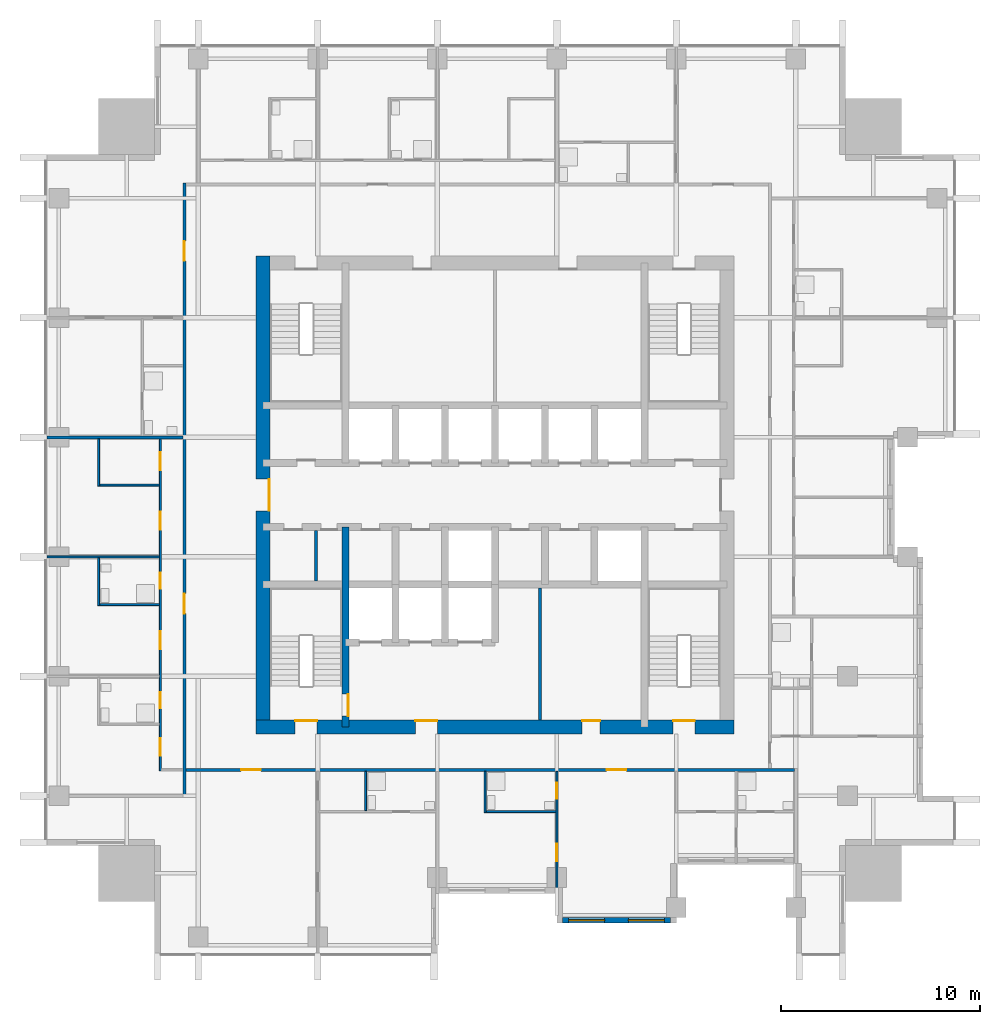
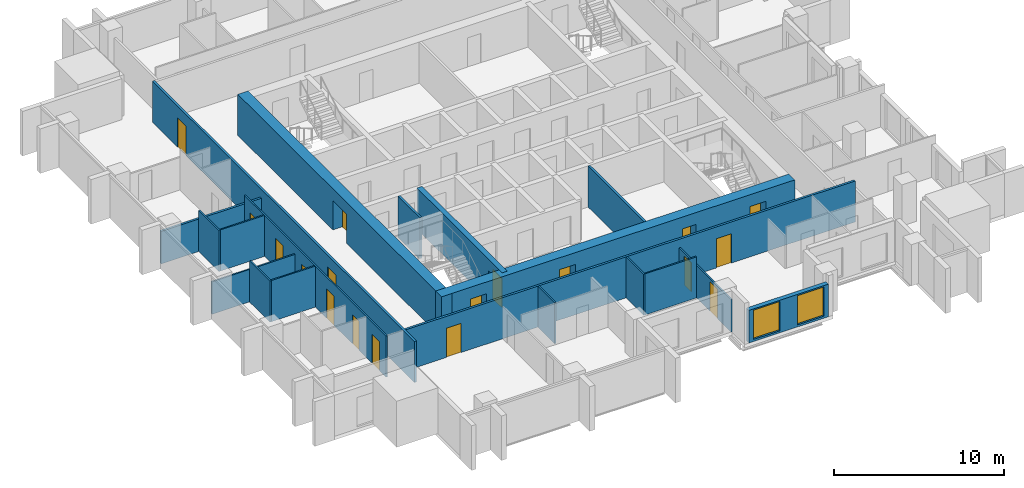
# One storey, part 4 of 10: 19 walls, 18 doors, 2 windows, 20 openings.
"""IFC4 building model written with IfcOpenShell, lengths in metres."""

from ifc_helpers import new_model, si_unit, direction, frame, frame_2d, origin, place, context, subcontext, project, spatial, rectangle, extrude, material, layer, layer_set, type_object, element, fill, save


model = new_model("IFC4")

# Units and contexts
model_context = context("Model", 3, precision=1e-05, world=origin(), true_north=direction((0.0, 1.0)))
body_context = subcontext(model_context, "Body", "Model", "MODEL_VIEW")
ifc_project = project(units=[si_unit("LENGTHUNIT", "METRE"), si_unit("AREAUNIT", "SQUARE_METRE"), si_unit("VOLUMEUNIT", "CUBIC_METRE"), si_unit("PLANEANGLEUNIT", "RADIAN"), si_unit("MASSUNIT", "GRAM", prefix="KILO")], contexts=[model_context])

# Site, building, storey
site_placement = place(None, origin())
site = spatial("IfcSite", under=ifc_project, at=site_placement, CompositionType="ELEMENT")
building_placement = place(site_placement, origin())
building = spatial("IfcBuilding", under=site, at=building_placement, Name="Amberfall Residences", CompositionType="ELEMENT")
storey_placement = place(building_placement, frame((0.0, 0.0, 174.699951171875)))
storey = spatial("IfcBuildingStorey", under=building, at=storey_placement, Name="L47", CompositionType="ELEMENT", Elevation=174.699951171875)

# Wall, openings, windows
ifc_material_1 = material(Name="Pale stone cladding on insulated backing", Category="masonry")
ifc_layer_1 = layer(ifc_material_1, 0.300048828125)
ifc_layer_set_1 = layer_set([ifc_layer_1], Name="Bronze clad wall 300")
wall_type_1 = type_object("IfcWallType", Name="Bronze clad wall 300", PredefinedType="SOLIDWALL", material=ifc_layer_set_1)
wall_1_placement = place(storey_placement, frame((77.89990234375, 24.14990234375, 0.0), z_axis=(0.0, 0.0, 1.0), x_axis=(1.0, 0.0, 0.0)))
wall_1 = element("IfcWall", 1, at=wall_1_placement, inside=storey, type_object=wall_type_1, Name="Stone wall L47 S", PredefinedType="SOLIDWALL", context=body_context, shape_type="SweptSolid", body=[
    extrude(rectangle(XDim=5.400146484375, YDim=0.300048828125, at=frame_2d((2.7001953125, 0.0))), origin(), (0.0, 0.0, 1.0), 2.34033203125),
])
opening_1_placement = place(wall_1_placement, frame((0.300048828125, 0.0, 0.14990234375)))
opening_1 = element("IfcOpeningElement", 2, at=opening_1_placement, cuts=wall_1, Name="Opening WN6", PredefinedType="OPENING", context=body_context, shape_type="SweptSolid", body=[
    extrude(rectangle(XDim=1.800048828125, YDim=2.10009765625, at=frame_2d((0.89990234375, 1.050048828125))), frame((0.0, 0.159912109375, 0.0), z_axis=(0.0, -1.0, 0.0), x_axis=(1.0, 0.0, 0.0)), (0.0, 0.0, 1.0), 0.320068359375),
])
opening_2_placement = place(wall_1_placement, frame((3.300048828125, 0.0, 0.14990234375)))
opening_2 = element("IfcOpeningElement", 3, at=opening_2_placement, cuts=wall_1, Name="Opening WN6", PredefinedType="OPENING", context=body_context, shape_type="SweptSolid", body=[
    extrude(rectangle(XDim=1.800048828125, YDim=2.10009765625, at=frame_2d((0.89990234375, 1.050048828125))), frame((0.0, 0.159912109375, 0.0), z_axis=(0.0, -1.0, 0.0), x_axis=(1.0, 0.0, 0.0)), (0.0, 0.0, 1.0), 0.320068359375),
])
ifc_material_2 = material(Name="Bronze aluminium framed glazing", Category="aluminium")
window_type = type_object("IfcWindowType", Name="Glazed opening 1800 x 2100 bronze", PartitioningType="DOUBLE_PANEL_VERTICAL", PredefinedType="WINDOW", material=ifc_material_2)
window_1_placement = place(opening_1_placement, origin())
window_1 = element("IfcWindow", 4, at=window_1_placement, inside=storey, type_object=window_type, Name="Window L47 S", OverallHeight=2.10009765625, OverallWidth=1.800048828125, PartitioningType="DOUBLE_PANEL_VERTICAL", PredefinedType="WINDOW", context=body_context, shape_type="SweptSolid", body=[
    extrude(rectangle(XDim=1.800048828125, YDim=2.10009765625, at=frame_2d((0.89990234375, 1.050048828125))), frame((0.0, 0.030029296875, 0.0), z_axis=(0.0, -1.0, 0.0), x_axis=(1.0, 0.0, 0.0)), (0.0, 0.0, 1.0), 0.06005859375),
])
fill(opening_1, window_1)
window_2_placement = place(opening_2_placement, origin())
window_2 = element("IfcWindow", 5, at=window_2_placement, inside=storey, type_object=window_type, Name="Window L47 S", OverallHeight=2.10009765625, OverallWidth=1.800048828125, PartitioningType="DOUBLE_PANEL_VERTICAL", PredefinedType="WINDOW", context=body_context, shape_type="SweptSolid", body=[
    extrude(rectangle(XDim=1.800048828125, YDim=2.10009765625, at=frame_2d((0.89990234375, 1.050048828125))), frame((0.0, 0.030029296875, 0.0), z_axis=(0.0, -1.0, 0.0), x_axis=(1.0, 0.0, 0.0)), (0.0, 0.0, 1.0), 0.06005859375),
])
fill(opening_2, window_2)

# Wall, opening, door
ifc_material_3 = material(Name="Concrete C60", Category="concrete")
ifc_layer_2 = layer(ifc_material_3, 0.35009765625)
ifc_layer_set_2 = layer_set([ifc_layer_2], Name="Core wall 350 C60")
wall_type_2 = type_object("IfcWallType", Name="Core wall 350 C60", PredefinedType="SHEAR", material=ifc_layer_set_2)
wall_2_placement = place(storey_placement, frame((67.0, 33.85009765625, 0.0), z_axis=(0.0, 0.0, 1.0), x_axis=(0.0, 1.0, 0.0)))
wall_2 = element("IfcWall", 6, at=wall_2_placement, inside=storey, type_object=wall_type_2, Name="Core wall RW6 L47 V45S", PredefinedType="SHEAR", context=body_context, shape_type="SweptSolid", body=[
    extrude(rectangle(XDim=10.0498046875, YDim=0.35009765625, at=frame_2d((5.02490234375, 0.0))), origin(), (0.0, 0.0, 1.0), 2.949951171875),
])
opening_3_placement = place(wall_2_placement, frame((0.550048828125, 0.0, 0.0)))
opening_3 = element("IfcOpeningElement", 7, at=opening_3_placement, cuts=wall_2, Name="Opening FL1", PredefinedType="OPENING", context=body_context, shape_type="SweptSolid", body=[
    extrude(rectangle(XDim=1.10009765625, YDim=2.10009765625, at=frame_2d((0.550048828125, 1.050048828125))), frame((0.0, 0.18505859375, 0.0), z_axis=(0.0, -1.0, 0.0), x_axis=(1.0, 0.0, 0.0)), (0.0, 0.0, 1.0), 0.3701171875),
])
ifc_material_4 = material(Name="Steel fire door set", Category="steel")
door_type_1 = type_object("IfcDoorType", Name="Firefighting lobby door 1100 x 2100", OperationType="SINGLE_SWING_LEFT", PredefinedType="DOOR", material=ifc_material_4)
door_1_placement = place(opening_3_placement, origin())
door_1 = element("IfcDoor", 8, at=door_1_placement, inside=storey, type_object=door_type_1, Name="FL1 L47", OperationType="SINGLE_SWING_RIGHT", OverallHeight=2.10009765625, OverallWidth=1.10009765625, PredefinedType="DOOR", context=body_context, shape_type="SweptSolid", body=[
    extrude(rectangle(XDim=1.10009765625, YDim=2.10009765625, at=frame_2d((0.550048828125, 1.050048828125))), frame((0.0, -0.1123046875, 0.0), z_axis=(0.0, -1.0, 0.0), x_axis=(1.0, 0.0, 0.0)), (0.0, 0.0, 1.0), 0.050048828125),
])
fill(opening_3, door_1)

# Wall, openings, doors
ifc_layer_3 = layer(ifc_material_3, 0.699951171875)
ifc_layer_set_3 = layer_set([ifc_layer_3], Name="Core wall 700 C60")
wall_type_3 = type_object("IfcWallType", Name="Core wall 700 C60", PredefinedType="SHEAR", material=ifc_layer_set_3)
wall_3_placement = place(storey_placement, frame((62.5, 33.85009765625, 0.0), z_axis=(0.0, 0.0, 1.0), x_axis=(1.0, 0.0, 0.0)))
wall_3 = element("IfcWall", 9, at=wall_3_placement, inside=storey, type_object=wall_type_3, Name="Core wall RW5 L47 OS", PredefinedType="SHEAR", context=body_context, shape_type="SweptSolid", body=[
    extrude(rectangle(XDim=24.0, YDim=0.699951171875, at=frame_2d((12.0, 0.0))), origin(), (0.0, 0.0, 1.0), 2.949951171875),
])
opening_4_placement = place(wall_3_placement, frame((1.96240234375, 0.0, 0.0)))
opening_4 = element("IfcOpeningElement", 10, at=opening_4_placement, cuts=wall_3, Name="Opening SD1", PredefinedType="OPENING", context=body_context, shape_type="SweptSolid", body=[
    extrude(rectangle(XDim=1.10009765625, YDim=2.10009765625, at=frame_2d((0.550048828125, 1.050048828125))), frame((0.0, 0.35986328125, 0.0), z_axis=(0.0, -1.0, 0.0), x_axis=(1.0, 0.0, 0.0)), (0.0, 0.0, 1.0), 0.719970703125),
])
opening_5_placement = place(wall_3_placement, frame((20.9375, 0.0, 0.0)))
opening_5 = element("IfcOpeningElement", 11, at=opening_5_placement, cuts=wall_3, Name="Opening SD1", PredefinedType="OPENING", context=body_context, shape_type="SweptSolid", body=[
    extrude(rectangle(XDim=1.10009765625, YDim=2.10009765625, at=frame_2d((0.550048828125, 1.050048828125))), frame((0.0, 0.35986328125, 0.0), z_axis=(0.0, -1.0, 0.0), x_axis=(1.0, 0.0, 0.0)), (0.0, 0.0, 1.0), 0.719970703125),
])
opening_6_placement = place(wall_3_placement, frame((8.0, 0.0, 0.0)))
opening_6 = element("IfcOpeningElement", 12, at=opening_6_placement, cuts=wall_3, Name="Opening FL1", PredefinedType="OPENING", context=body_context, shape_type="SweptSolid", body=[
    extrude(rectangle(XDim=1.10009765625, YDim=2.10009765625, at=frame_2d((0.550048828125, 1.050048828125))), frame((0.0, 0.35986328125, 0.0), z_axis=(0.0, -1.0, 0.0), x_axis=(1.0, 0.0, 0.0)), (0.0, 0.0, 1.0), 0.719970703125),
])
opening_7_placement = place(wall_3_placement, frame((16.375, 0.0, 0.0)))
opening_7 = element("IfcOpeningElement", 13, at=opening_7_placement, cuts=wall_3, Name="Opening RD1", PredefinedType="OPENING", context=body_context, shape_type="SweptSolid", body=[
    extrude(rectangle(XDim=0.89990234375, YDim=2.10009765625, at=frame_2d((0.449951171875, 1.050048828125))), frame((0.0, 0.35986328125, 0.0), z_axis=(0.0, -1.0, 0.0), x_axis=(1.0, 0.0, 0.0)), (0.0, 0.0, 1.0), 0.719970703125),
])
door_2_placement = place(opening_6_placement, origin())
door_2 = element("IfcDoor", 14, at=door_2_placement, inside=storey, type_object=door_type_1, Name="FL1 L47", OperationType="SINGLE_SWING_LEFT", OverallHeight=2.10009765625, OverallWidth=1.10009765625, PredefinedType="DOOR", context=body_context, shape_type="SweptSolid", body=[
    extrude(rectangle(XDim=1.10009765625, YDim=2.10009765625, at=frame_2d((0.550048828125, 1.050048828125))), frame((0.0, 0.33740234375, 0.0), z_axis=(0.0, -1.0, 0.0), x_axis=(1.0, 0.0, 0.0)), (0.0, 0.0, 1.0), 0.050048828125),
])
fill(opening_6, door_2)
door_type_2 = type_object("IfcDoorType", Name="Service room door 900 x 2100", OperationType="SINGLE_SWING_LEFT", PredefinedType="DOOR", material=ifc_material_4)
door_3_placement = place(opening_7_placement, origin())
door_3 = element("IfcDoor", 15, at=door_3_placement, inside=storey, type_object=door_type_2, Name="RD1 L47", OperationType="SINGLE_SWING_LEFT", OverallHeight=2.10009765625, OverallWidth=0.89990234375, PredefinedType="DOOR", context=body_context, shape_type="SweptSolid", body=[
    extrude(rectangle(XDim=0.89990234375, YDim=2.10009765625, at=frame_2d((0.449951171875, 1.050048828125))), frame((0.0, 0.33740234375, 0.0), z_axis=(0.0, -1.0, 0.0), x_axis=(1.0, 0.0, 0.0)), (0.0, 0.0, 1.0), 0.050048828125),
])
fill(opening_7, door_3)
door_type_3 = type_object("IfcDoorType", Name="Stair door 1100 x 2100", OperationType="SINGLE_SWING_LEFT", PredefinedType="DOOR", material=ifc_material_4)
door_4_placement = place(opening_4_placement, origin())
door_4 = element("IfcDoor", 16, at=door_4_placement, inside=storey, type_object=door_type_3, Name="SD1 L47", OperationType="SINGLE_SWING_LEFT", OverallHeight=2.10009765625, OverallWidth=1.10009765625, PredefinedType="DOOR", context=body_context, shape_type="SweptSolid", body=[
    extrude(rectangle(XDim=1.10009765625, YDim=2.10009765625, at=frame_2d((0.550048828125, 1.050048828125))), frame((0.0, 0.33740234375, 0.0), z_axis=(0.0, -1.0, 0.0), x_axis=(1.0, 0.0, 0.0)), (0.0, 0.0, 1.0), 0.050048828125),
])
fill(opening_4, door_4)
door_5_placement = place(opening_5_placement, origin())
door_5 = element("IfcDoor", 17, at=door_5_placement, inside=storey, type_object=door_type_3, Name="SD1 L47", OperationType="SINGLE_SWING_RIGHT", OverallHeight=2.10009765625, OverallWidth=1.10009765625, PredefinedType="DOOR", context=body_context, shape_type="SweptSolid", body=[
    extrude(rectangle(XDim=1.10009765625, YDim=2.10009765625, at=frame_2d((0.550048828125, 1.050048828125))), frame((0.0, 0.33740234375, 0.0), z_axis=(0.0, -1.0, 0.0), x_axis=(1.0, 0.0, 0.0)), (0.0, 0.0, 1.0), 0.050048828125),
])
fill(opening_5, door_5)

# Wall, opening, door
wall_4_placement = place(storey_placement, frame((62.85009765625, 33.5, 0.0), z_axis=(0.0, 0.0, 1.0), x_axis=(0.0, 1.0, 0.0)))
wall_4 = element("IfcWall", 18, at=wall_4_placement, inside=storey, type_object=wall_type_3, Name="Core wall RW5 L47 OW", PredefinedType="SHEAR", context=body_context, shape_type="SweptSolid", body=[
    extrude(rectangle(XDim=24.0, YDim=0.699951171875, at=frame_2d((12.0, 0.0))), origin(), (0.0, 0.0, 1.0), 2.949951171875),
])
opening_8_placement = place(wall_4_placement, frame((11.199951171875, 0.0, 0.0)))
opening_8 = element("IfcOpeningElement", 19, at=opening_8_placement, cuts=wall_4, Name="Opening LB1", PredefinedType="OPENING", context=body_context, shape_type="SweptSolid", body=[
    extrude(rectangle(XDim=1.60009765625, YDim=2.10009765625, at=frame_2d((0.800048828125, 1.050048828125))), frame((0.0, 0.35986328125, 0.0), z_axis=(0.0, -1.0, 0.0), x_axis=(1.0, 0.0, 0.0)), (0.0, 0.0, 1.0), 0.719970703125),
])
door_type_4 = type_object("IfcDoorType", Name="Lift lobby double door 1600 x 2100", OperationType="DOUBLE_DOOR_SINGLE_SWING", PredefinedType="DOOR", material=ifc_material_4)
door_6_placement = place(opening_8_placement, origin())
door_6 = element("IfcDoor", 20, at=door_6_placement, inside=storey, type_object=door_type_4, Name="LB1 L47", OperationType="DOUBLE_DOOR_SINGLE_SWING", OverallHeight=2.10009765625, OverallWidth=1.60009765625, PredefinedType="DOOR", context=body_context, shape_type="SweptSolid", body=[
    extrude(rectangle(XDim=1.60009765625, YDim=2.10009765625, at=frame_2d((0.800048828125, 1.050048828125))), frame((0.0, -0.28759765625, 0.0), z_axis=(0.0, -1.0, 0.0), x_axis=(1.0, 0.0, 0.0)), (0.0, 0.0, 1.0), 0.050048828125),
])
fill(opening_8, door_6)

# Walls
ifc_material_5 = material(Name="Gypsum board on metal stud")
ifc_layer_4 = layer(ifc_material_5, 0.10009765625)
ifc_layer_set_4 = layer_set([ifc_layer_4], Name="Flat partition 100")
wall_type_4 = type_object("IfcWallType", Name="Flat partition 100", PredefinedType="PARTITIONING", material=ifc_layer_set_4)
wall_5_placement = place(storey_placement, frame((54.60009765625, 39.949951171875, 0.0), z_axis=(0.0, 0.0, 1.0), x_axis=(0.0, 1.0, 0.0)))
element("IfcWall", 21, at=wall_5_placement, inside=storey, type_object=wall_type_4, Name="Partition 002", PredefinedType="PARTITIONING", context=body_context, shape_type="SweptSolid", body=[
    extrude(rectangle(XDim=2.400146484375, YDim=0.10009765625, at=frame_2d((1.2001953125, 0.0))), origin(), (0.0, 0.0, 1.0), 2.949951171875),
])
wall_6_placement = place(storey_placement, frame((54.60009765625, 45.949951171875, 0.0), z_axis=(0.0, 0.0, 1.0), x_axis=(0.0, 1.0, 0.0)))
element("IfcWall", 22, at=wall_6_placement, inside=storey, type_object=wall_type_4, Name="Partition 003", PredefinedType="PARTITIONING", context=body_context, shape_type="SweptSolid", body=[
    extrude(rectangle(XDim=2.375, YDim=0.10009765625, at=frame_2d((1.1875, 0.0))), origin(), (0.0, 0.0, 1.0), 2.949951171875),
])

# Wall, openings, doors
wall_7_placement = place(storey_placement, frame((57.699951171875, 31.64990234375, 0.0), z_axis=(0.0, 0.0, 1.0), x_axis=(0.0, 1.0, 0.0)))
wall_7 = element("IfcWall", 23, at=wall_7_placement, inside=storey, type_object=wall_type_4, Name="Partition 005", PredefinedType="PARTITIONING", context=body_context, shape_type="SweptSolid", body=[
    extrude(rectangle(XDim=16.675048828125, YDim=0.10009765625, at=frame_2d((8.33740234375, 0.0))), origin(), (0.0, 0.0, 1.0), 2.949951171875),
])
opening_9_placement = place(wall_7_placement, frame((12.10009765625, 0.0, 0.0)))
opening_9 = element("IfcOpeningElement", 24, at=opening_9_placement, cuts=wall_7, Name="Opening D41", PredefinedType="OPENING", context=body_context, shape_type="SweptSolid", body=[
    extrude(rectangle(XDim=0.89990234375, YDim=2.10009765625, at=frame_2d((0.449951171875, 1.050048828125))), frame((0.0, 0.06005859375, 0.0), z_axis=(0.0, -1.0, 0.0), x_axis=(1.0, 0.0, 0.0)), (0.0, 0.0, 1.0), 0.1201171875),
])
opening_10_placement = place(wall_7_placement, frame((15.10009765625, 0.0, 0.0)))
opening_10 = element("IfcOpeningElement", 25, at=opening_10_placement, cuts=wall_7, Name="Opening D41", PredefinedType="OPENING", context=body_context, shape_type="SweptSolid", body=[
    extrude(rectangle(XDim=0.89990234375, YDim=2.10009765625, at=frame_2d((0.449951171875, 1.050048828125))), frame((0.0, 0.06005859375, 0.0), z_axis=(0.0, -1.0, 0.0), x_axis=(1.0, 0.0, 0.0)), (0.0, 0.0, 1.0), 0.1201171875),
])
opening_11_placement = place(wall_7_placement, frame((0.75, 0.0, 0.0)))
opening_11 = element("IfcOpeningElement", 26, at=opening_11_placement, cuts=wall_7, Name="Opening D41", PredefinedType="OPENING", context=body_context, shape_type="SweptSolid", body=[
    extrude(rectangle(XDim=0.89990234375, YDim=2.10009765625, at=frame_2d((0.449951171875, 1.050048828125))), frame((0.0, 0.06005859375, 0.0), z_axis=(0.0, -1.0, 0.0), x_axis=(1.0, 0.0, 0.0)), (0.0, 0.0, 1.0), 0.1201171875),
])
opening_12_placement = place(wall_7_placement, frame((6.10009765625, 0.0, 0.0)))
opening_12 = element("IfcOpeningElement", 27, at=opening_12_placement, cuts=wall_7, Name="Opening D41", PredefinedType="OPENING", context=body_context, shape_type="SweptSolid", body=[
    extrude(rectangle(XDim=0.89990234375, YDim=2.10009765625, at=frame_2d((0.449951171875, 1.050048828125))), frame((0.0, 0.06005859375, 0.0), z_axis=(0.0, -1.0, 0.0), x_axis=(1.0, 0.0, 0.0)), (0.0, 0.0, 1.0), 0.1201171875),
])
opening_13_placement = place(wall_7_placement, frame((3.14990234375, 0.0, 0.0)))
opening_13 = element("IfcOpeningElement", 28, at=opening_13_placement, cuts=wall_7, Name="Opening D42", PredefinedType="OPENING", context=body_context, shape_type="SweptSolid", body=[
    extrude(rectangle(XDim=0.800048828125, YDim=2.10009765625, at=frame_2d((0.39990234375, 1.050048828125))), frame((0.0, 0.06005859375, 0.0), z_axis=(0.0, -1.0, 0.0), x_axis=(1.0, 0.0, 0.0)), (0.0, 0.0, 1.0), 0.1201171875),
])
opening_14_placement = place(wall_7_placement, frame((9.14990234375, 0.0, 0.0)))
opening_14 = element("IfcOpeningElement", 29, at=opening_14_placement, cuts=wall_7, Name="Opening D42", PredefinedType="OPENING", context=body_context, shape_type="SweptSolid", body=[
    extrude(rectangle(XDim=0.800048828125, YDim=2.10009765625, at=frame_2d((0.39990234375, 1.050048828125))), frame((0.0, 0.06005859375, 0.0), z_axis=(0.0, -1.0, 0.0), x_axis=(1.0, 0.0, 0.0)), (0.0, 0.0, 1.0), 0.1201171875),
])
ifc_material_6 = material(Name="Timber", Category="wood")
door_type_5 = type_object("IfcDoorType", Name="Bathroom door 800 x 2100", OperationType="SINGLE_SWING_LEFT", PredefinedType="DOOR", material=ifc_material_6)
door_7_placement = place(opening_13_placement, origin())
door_7 = element("IfcDoor", 30, at=door_7_placement, inside=storey, type_object=door_type_5, Name="Door 4707 bath1", OperationType="SINGLE_SWING_LEFT", OverallHeight=2.10009765625, OverallWidth=0.800048828125, PredefinedType="DOOR", context=body_context, shape_type="SweptSolid", body=[
    extrude(rectangle(XDim=0.800048828125, YDim=2.10009765625, at=frame_2d((0.39990234375, 1.050048828125))), frame((0.0, 0.02490234375, 0.0), z_axis=(0.0, -1.0, 0.0), x_axis=(1.0, 0.0, 0.0)), (0.0, 0.0, 1.0), 0.050048828125),
])
fill(opening_13, door_7)
door_8_placement = place(opening_14_placement, origin())
door_8 = element("IfcDoor", 31, at=door_8_placement, inside=storey, type_object=door_type_5, Name="Door 4707 bath2", OperationType="SINGLE_SWING_LEFT", OverallHeight=2.10009765625, OverallWidth=0.800048828125, PredefinedType="DOOR", context=body_context, shape_type="SweptSolid", body=[
    extrude(rectangle(XDim=0.800048828125, YDim=2.10009765625, at=frame_2d((0.39990234375, 1.050048828125))), frame((0.0, 0.02490234375, 0.0), z_axis=(0.0, -1.0, 0.0), x_axis=(1.0, 0.0, 0.0)), (0.0, 0.0, 1.0), 0.050048828125),
])
fill(opening_14, door_8)
door_type_6 = type_object("IfcDoorType", Name="Internal door 900 x 2100", OperationType="SINGLE_SWING_LEFT", PredefinedType="DOOR", material=ifc_material_6)
door_9_placement = place(opening_9_placement, origin())
door_9 = element("IfcDoor", 32, at=door_9_placement, inside=storey, type_object=door_type_6, Name="Door 4707 living", OperationType="SINGLE_SWING_LEFT", OverallHeight=2.10009765625, OverallWidth=0.89990234375, PredefinedType="DOOR", context=body_context, shape_type="SweptSolid", body=[
    extrude(rectangle(XDim=0.89990234375, YDim=2.10009765625, at=frame_2d((0.449951171875, 1.050048828125))), frame((0.0, 0.02490234375, 0.0), z_axis=(0.0, -1.0, 0.0), x_axis=(1.0, 0.0, 0.0)), (0.0, 0.0, 1.0), 0.050048828125),
])
fill(opening_9, door_9)
door_10_placement = place(opening_10_placement, origin())
door_10 = element("IfcDoor", 33, at=door_10_placement, inside=storey, type_object=door_type_6, Name="Door 4707 kitchen", OperationType="SINGLE_SWING_LEFT", OverallHeight=2.10009765625, OverallWidth=0.89990234375, PredefinedType="DOOR", context=body_context, shape_type="SweptSolid", body=[
    extrude(rectangle(XDim=0.89990234375, YDim=2.10009765625, at=frame_2d((0.449951171875, 1.050048828125))), frame((0.0, 0.02490234375, 0.0), z_axis=(0.0, -1.0, 0.0), x_axis=(1.0, 0.0, 0.0)), (0.0, 0.0, 1.0), 0.050048828125),
])
fill(opening_10, door_10)
door_11_placement = place(opening_11_placement, origin())
door_11 = element("IfcDoor", 34, at=door_11_placement, inside=storey, type_object=door_type_6, Name="Door 4707 bedroom1", OperationType="SINGLE_SWING_LEFT", OverallHeight=2.10009765625, OverallWidth=0.89990234375, PredefinedType="DOOR", context=body_context, shape_type="SweptSolid", body=[
    extrude(rectangle(XDim=0.89990234375, YDim=2.10009765625, at=frame_2d((0.449951171875, 1.050048828125))), frame((0.0, 0.02490234375, 0.0), z_axis=(0.0, -1.0, 0.0), x_axis=(1.0, 0.0, 0.0)), (0.0, 0.0, 1.0), 0.050048828125),
])
fill(opening_11, door_11)
door_12_placement = place(opening_12_placement, origin())
door_12 = element("IfcDoor", 35, at=door_12_placement, inside=storey, type_object=door_type_6, Name="Door 4707 bedroom2", OperationType="SINGLE_SWING_LEFT", OverallHeight=2.10009765625, OverallWidth=0.89990234375, PredefinedType="DOOR", context=body_context, shape_type="SweptSolid", body=[
    extrude(rectangle(XDim=0.89990234375, YDim=2.10009765625, at=frame_2d((0.449951171875, 1.050048828125))), frame((0.0, 0.02490234375, 0.0), z_axis=(0.0, -1.0, 0.0), x_axis=(1.0, 0.0, 0.0)), (0.0, 0.0, 1.0), 0.050048828125),
])
fill(opening_12, door_12)

# Walls
wall_8_placement = place(storey_placement, frame((68.0, 29.64990234375, 0.0), z_axis=(0.0, 0.0, 1.0), x_axis=(0.0, 1.0, 0.0)))
element("IfcWall", 36, at=wall_8_placement, inside=storey, type_object=wall_type_4, Name="Partition 009", PredefinedType="PARTITIONING", context=body_context, shape_type="SweptSolid", body=[
    extrude(rectangle(XDim=1.97509765625, YDim=0.10009765625, at=frame_2d((0.987548828125, 0.0))), origin(), (0.0, 0.0, 1.0), 2.949951171875),
])
wall_9_placement = place(storey_placement, frame((74.0, 29.550048828125, 0.0), z_axis=(0.0, 0.0, 1.0), x_axis=(0.0, 1.0, 0.0)))
element("IfcWall", 37, at=wall_9_placement, inside=storey, type_object=wall_type_4, Name="Partition 012", PredefinedType="PARTITIONING", context=body_context, shape_type="SweptSolid", body=[
    extrude(rectangle(XDim=2.074951171875, YDim=0.10009765625, at=frame_2d((1.03759765625, 0.0))), origin(), (0.0, 0.0, 1.0), 2.949951171875),
])

# Wall, openings, doors
wall_10_placement = place(storey_placement, frame((77.60009765625, 25.5, 0.0), z_axis=(0.0, 0.0, 1.0), x_axis=(0.0, 1.0, 0.0)))
wall_10 = element("IfcWall", 38, at=wall_10_placement, inside=storey, type_object=wall_type_4, Name="Partition 014", PredefinedType="PARTITIONING", context=body_context, shape_type="SweptSolid", body=[
    extrude(rectangle(XDim=6.125, YDim=0.10009765625, at=frame_2d((3.0625, 0.0))), origin(), (0.0, 0.0, 1.0), 2.33203125),
])
opening_15_placement = place(wall_10_placement, frame((1.60009765625, 0.0, 0.0)))
opening_15 = element("IfcOpeningElement", 39, at=opening_15_placement, cuts=wall_10, Name="Opening D41", PredefinedType="OPENING", context=body_context, shape_type="SweptSolid", body=[
    extrude(rectangle(XDim=0.89990234375, YDim=2.10009765625, at=frame_2d((0.449951171875, 1.050048828125))), frame((0.0, 0.06005859375, 0.0), z_axis=(0.0, -1.0, 0.0), x_axis=(1.0, 0.0, 0.0)), (0.0, 0.0, 1.0), 0.1201171875),
])
opening_16_placement = place(wall_10_placement, frame((4.75, 0.0, 0.0)))
opening_16 = element("IfcOpeningElement", 40, at=opening_16_placement, cuts=wall_10, Name="Opening D42", PredefinedType="OPENING", context=body_context, shape_type="SweptSolid", body=[
    extrude(rectangle(XDim=0.800048828125, YDim=2.10009765625, at=frame_2d((0.39990234375, 1.050048828125))), frame((0.0, 0.06005859375, 0.0), z_axis=(0.0, -1.0, 0.0), x_axis=(1.0, 0.0, 0.0)), (0.0, 0.0, 1.0), 0.1201171875),
])
door_13_placement = place(opening_16_placement, origin())
door_13 = element("IfcDoor", 41, at=door_13_placement, inside=storey, type_object=door_type_5, Name="Door 4702 bath1", OperationType="SINGLE_SWING_LEFT", OverallHeight=2.10009765625, OverallWidth=0.800048828125, PredefinedType="DOOR", context=body_context, shape_type="SweptSolid", body=[
    extrude(rectangle(XDim=0.800048828125, YDim=2.10009765625, at=frame_2d((0.39990234375, 1.050048828125))), frame((0.0, 0.02490234375, 0.0), z_axis=(0.0, -1.0, 0.0), x_axis=(1.0, 0.0, 0.0)), (0.0, 0.0, 1.0), 0.050048828125),
])
fill(opening_16, door_13)
door_14_placement = place(opening_15_placement, origin())
door_14 = element("IfcDoor", 42, at=door_14_placement, inside=storey, type_object=door_type_6, Name="Door 4702 bedroom1", OperationType="SINGLE_SWING_LEFT", OverallHeight=2.10009765625, OverallWidth=0.89990234375, PredefinedType="DOOR", context=body_context, shape_type="SweptSolid", body=[
    extrude(rectangle(XDim=0.89990234375, YDim=2.10009765625, at=frame_2d((0.449951171875, 1.050048828125))), frame((0.0, 0.02490234375, 0.0), z_axis=(0.0, -1.0, 0.0), x_axis=(1.0, 0.0, 0.0)), (0.0, 0.0, 1.0), 0.050048828125),
])
fill(opening_15, door_14)

# Walls
wall_11_placement = place(storey_placement, frame((54.64990234375, 46.0, 0.0), z_axis=(0.0, 0.0, 1.0), x_axis=(1.0, 0.0, 0.0)))
element("IfcWall", 43, at=wall_11_placement, inside=storey, type_object=wall_type_4, Name="Partition 033", PredefinedType="PARTITIONING", context=body_context, shape_type="SweptSolid", body=[
    extrude(rectangle(XDim=3.0, YDim=0.10009765625, at=frame_2d((1.5, 0.0))), origin(), (0.0, 0.0, 1.0), 2.949951171875),
])
wall_12_placement = place(storey_placement, frame((52.0, 42.39990234375, 0.0), z_axis=(0.0, 0.0, 1.0), x_axis=(1.0, 0.0, 0.0)))
element("IfcWall", 44, at=wall_12_placement, inside=storey, type_object=wall_type_4, Name="Partition 035", PredefinedType="PARTITIONING", context=body_context, shape_type="SweptSolid", body=[
    extrude(rectangle(XDim=5.64990234375, YDim=0.10009765625, at=frame_2d((2.824951171875, 0.0))), origin(), (0.0, 0.0, 1.0), 2.33203125),
])
wall_13_placement = place(storey_placement, frame((54.64990234375, 40.0, 0.0), z_axis=(0.0, 0.0, 1.0), x_axis=(1.0, 0.0, 0.0)))
element("IfcWall", 45, at=wall_13_placement, inside=storey, type_object=wall_type_4, Name="Partition 037", PredefinedType="PARTITIONING", context=body_context, shape_type="SweptSolid", body=[
    extrude(rectangle(XDim=3.0, YDim=0.10009765625, at=frame_2d((1.5, 0.0))), origin(), (0.0, 0.0, 1.0), 2.949951171875),
])
wall_14_placement = place(storey_placement, frame((74.050048828125, 29.60009765625, 0.0), z_axis=(0.0, 0.0, 1.0), x_axis=(1.0, 0.0, 0.0)))
element("IfcWall", 46, at=wall_14_placement, inside=storey, type_object=wall_type_4, Name="Partition 044", PredefinedType="PARTITIONING", context=body_context, shape_type="SweptSolid", body=[
    extrude(rectangle(XDim=3.5, YDim=0.10009765625, at=frame_2d((1.75, 0.0))), origin(), (0.0, 0.0, 1.0), 2.949951171875),
])

# Wall, openings, doors
ifc_material_7 = material(Name="Blockwork, plastered", Category="masonry")
ifc_layer_5 = layer(ifc_material_7, 0.14990234375)
ifc_layer_set_5 = layer_set([ifc_layer_5], Name="Flat separating wall 150")
wall_type_5 = type_object("IfcWallType", Name="Flat separating wall 150", PredefinedType="PARTITIONING", material=ifc_layer_set_5)
wall_15_placement = place(storey_placement, frame((58.89990234375, 30.324951171875, 0.0), z_axis=(0.0, 0.0, 1.0), x_axis=(0.0, 1.0, 0.0)))
wall_15 = element("IfcWall", 47, at=wall_15_placement, inside=storey, type_object=wall_type_5, Name="Separating wall 046", PredefinedType="PARTITIONING", context=body_context, shape_type="SweptSolid", body=[
    extrude(rectangle(XDim=30.85009765625, YDim=0.14990234375, at=frame_2d((15.425048828125, 0.0))), origin(), (0.0, 0.0, 1.0), 2.949951171875),
])
opening_17_placement = place(wall_15_placement, frame((9.22509765625, 0.0, 0.0)))
opening_17 = element("IfcOpeningElement", 48, at=opening_17_placement, cuts=wall_15, Name="Opening D40", PredefinedType="OPENING", context=body_context, shape_type="SweptSolid", body=[
    extrude(rectangle(XDim=1.0, YDim=2.10009765625, at=frame_2d((0.5, 1.050048828125))), frame((0.0, 0.0849609375, 0.0), z_axis=(0.0, -1.0, 0.0), x_axis=(1.0, 0.0, 0.0)), (0.0, 0.0, 1.0), 0.169921875),
])
opening_18_placement = place(wall_15_placement, frame((26.925048828125, 0.0, 0.0)))
opening_18 = element("IfcOpeningElement", 49, at=opening_18_placement, cuts=wall_15, Name="Opening D40", PredefinedType="OPENING", context=body_context, shape_type="SweptSolid", body=[
    extrude(rectangle(XDim=1.0, YDim=2.10009765625, at=frame_2d((0.5, 1.050048828125))), frame((0.0, 0.0849609375, 0.0), z_axis=(0.0, -1.0, 0.0), x_axis=(1.0, 0.0, 0.0)), (0.0, 0.0, 1.0), 0.169921875),
])
ifc_material_8 = material(Name="Timber, fire-rated", Category="wood")
door_type_7 = type_object("IfcDoorType", Name="Flat entrance door FD60 1000 x 2100", OperationType="SINGLE_SWING_LEFT", PredefinedType="DOOR", material=ifc_material_8)
door_15_placement = place(opening_17_placement, origin())
door_15 = element("IfcDoor", 50, at=door_15_placement, inside=storey, type_object=door_type_7, Name="Door 4707 entrance", OperationType="SINGLE_SWING_LEFT", OverallHeight=2.10009765625, OverallWidth=1.0, PredefinedType="DOOR", context=body_context, shape_type="SweptSolid", body=[
    extrude(rectangle(XDim=1.0, YDim=2.10009765625, at=frame_2d((0.5, 1.050048828125))), frame((0.0, 0.02490234375, 0.0), z_axis=(0.0, -1.0, 0.0), x_axis=(1.0, 0.0, 0.0)), (0.0, 0.0, 1.0), 0.050048828125),
])
fill(opening_17, door_15)
door_16_placement = place(opening_18_placement, origin())
door_16 = element("IfcDoor", 51, at=door_16_placement, inside=storey, type_object=door_type_7, Name="Door 4708 entrance", OperationType="SINGLE_SWING_LEFT", OverallHeight=2.10009765625, OverallWidth=1.0, PredefinedType="DOOR", context=body_context, shape_type="SweptSolid", body=[
    extrude(rectangle(XDim=1.0, YDim=2.10009765625, at=frame_2d((0.5, 1.050048828125))), frame((0.0, 0.02490234375, 0.0), z_axis=(0.0, -1.0, 0.0), x_axis=(1.0, 0.0, 0.0)), (0.0, 0.0, 1.0), 0.050048828125),
])
fill(opening_18, door_16)

# Wall
wall_16_placement = place(storey_placement, frame((52.0, 48.39990234375, 0.0), z_axis=(0.0, 0.0, 1.0), x_axis=(1.0, 0.0, 0.0)))
element("IfcWall", 52, at=wall_16_placement, inside=storey, type_object=wall_type_5, Name="Separating wall 054", PredefinedType="PARTITIONING", context=body_context, shape_type="SweptSolid", body=[
    extrude(rectangle(XDim=6.824951171875, YDim=0.14990234375, at=frame_2d((3.41259765625, 0.0))), origin(), (0.0, 0.0, 1.0), 2.33203125),
])

# Wall, openings, doors
wall_17_placement = place(storey_placement, frame((89.52490234375, 31.699951171875, 0.0), z_axis=(0.0, 0.0, 1.0), x_axis=(-1.0, 0.0, 0.0)))
wall_17 = element("IfcWall", 53, at=wall_17_placement, inside=storey, type_object=wall_type_5, Name="Separating wall 056", PredefinedType="PARTITIONING", context=body_context, shape_type="SweptSolid", body=[
    extrude(rectangle(XDim=30.5498046875, YDim=0.14990234375, at=frame_2d((15.27490234375, 0.0))), origin(), (0.0, 0.0, 1.0), 2.949951171875),
])
opening_19_placement = place(wall_17_placement, frame((26.77490234375, 0.0, 0.0)))
opening_19 = element("IfcOpeningElement", 54, at=opening_19_placement, cuts=wall_17, Name="Opening D40", PredefinedType="OPENING", context=body_context, shape_type="SweptSolid", body=[
    extrude(rectangle(XDim=1.0, YDim=2.10009765625, at=frame_2d((0.5, 1.050048828125))), frame((0.0, 0.0849609375, 0.0), z_axis=(0.0, -1.0, 0.0), x_axis=(1.0, 0.0, 0.0)), (0.0, 0.0, 1.0), 0.169921875),
])
opening_20_placement = place(wall_17_placement, frame((8.425048828125, 0.0, 0.0)))
opening_20 = element("IfcOpeningElement", 55, at=opening_20_placement, cuts=wall_17, Name="Opening D40", PredefinedType="OPENING", context=body_context, shape_type="SweptSolid", body=[
    extrude(rectangle(XDim=1.0, YDim=2.10009765625, at=frame_2d((0.5, 1.050048828125))), frame((0.0, 0.0849609375, 0.0), z_axis=(0.0, -1.0, 0.0), x_axis=(1.0, 0.0, 0.0)), (0.0, 0.0, 1.0), 0.169921875),
])
door_17_placement = place(opening_19_placement, origin())
door_17 = element("IfcDoor", 56, at=door_17_placement, inside=storey, type_object=door_type_7, Name="Door 4701 entrance", OperationType="SINGLE_SWING_LEFT", OverallHeight=2.10009765625, OverallWidth=1.0, PredefinedType="DOOR", context=body_context, shape_type="SweptSolid", body=[
    extrude(rectangle(XDim=1.0, YDim=2.10009765625, at=frame_2d((0.5, 1.050048828125))), frame((0.0, 0.02490234375, 0.0), z_axis=(0.0, -1.0, 0.0), x_axis=(1.0, 0.0, 0.0)), (0.0, 0.0, 1.0), 0.050048828125),
])
fill(opening_19, door_17)
door_18_placement = place(opening_20_placement, origin())
door_18 = element("IfcDoor", 57, at=door_18_placement, inside=storey, type_object=door_type_7, Name="Door 4702 entrance", OperationType="SINGLE_SWING_LEFT", OverallHeight=2.10009765625, OverallWidth=1.0, PredefinedType="DOOR", context=body_context, shape_type="SweptSolid", body=[
    extrude(rectangle(XDim=1.0, YDim=2.10009765625, at=frame_2d((0.5, 1.050048828125))), frame((0.0, 0.02490234375, 0.0), z_axis=(0.0, -1.0, 0.0), x_axis=(1.0, 0.0, 0.0)), (0.0, 0.0, 1.0), 0.050048828125),
])
fill(opening_20, door_18)

# Walls
ifc_material_9 = material(Name="Concrete blockwork", Category="masonry")
ifc_layer_6 = layer(ifc_material_9, 0.14990234375)
ifc_layer_set_6 = layer_set([ifc_layer_6], Name="Riser wall 150")
wall_type_6 = type_object("IfcWallType", Name="Riser wall 150", PredefinedType="PLUMBINGWALL", material=ifc_layer_set_6)
wall_18_placement = place(storey_placement, frame((76.75, 34.199951171875, 0.0), z_axis=(0.0, 0.0, 1.0), x_axis=(0.0, 1.0, 0.0)))
element("IfcWall", 58, at=wall_18_placement, inside=storey, type_object=wall_type_6, Name="L47 core wall PX", PredefinedType="PLUMBINGWALL", context=body_context, shape_type="SweptSolid", body=[
    extrude(rectangle(XDim=6.625, YDim=0.14990234375, at=frame_2d((3.3125, 0.0))), origin(), (0.0, 0.0, 1.0), 2.949951171875),
])
wall_19_placement = place(storey_placement, frame((65.52001953125, 41.175048828125, 0.0), z_axis=(0.0, 0.0, 1.0), x_axis=(0.0, 1.0, 0.0)))
element("IfcWall", 59, at=wall_19_placement, inside=storey, type_object=wall_type_6, Name="L47 core wall ASW0", PredefinedType="PLUMBINGWALL", context=body_context, shape_type="SweptSolid", body=[
    extrude(rectangle(XDim=2.550048828125, YDim=0.14990234375, at=frame_2d((1.27490234375, 0.0))), origin(), (0.0, 0.0, 1.0), 2.949951171875),
])

save(model, "model.ifc")
